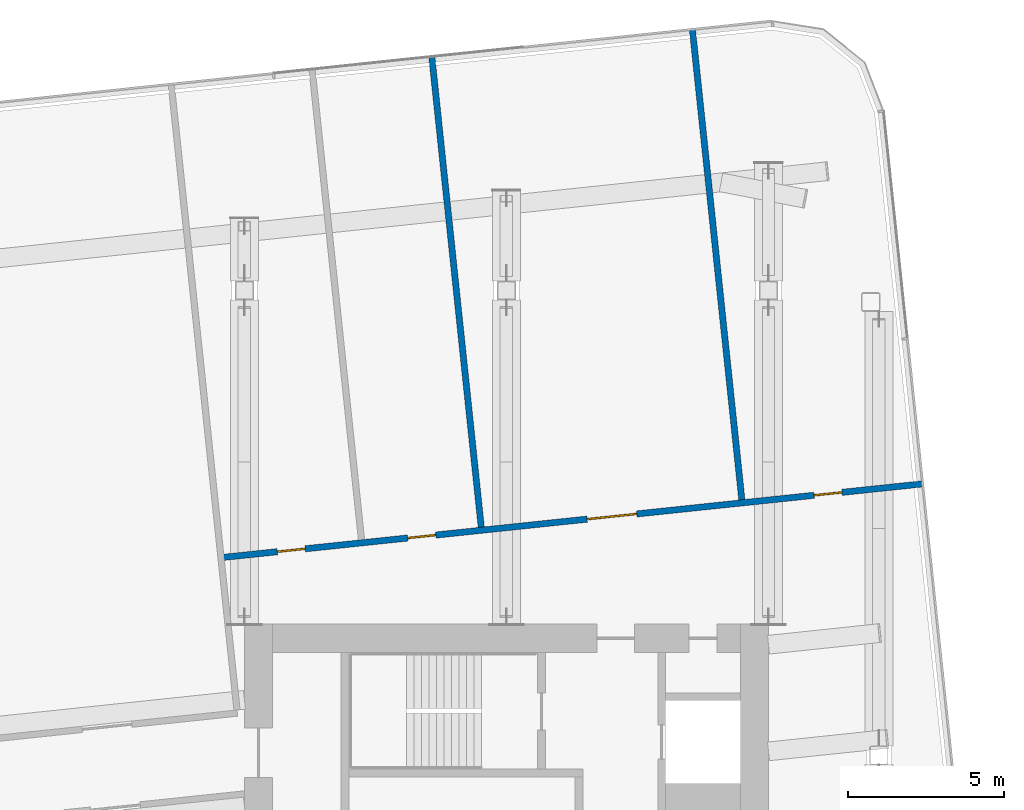
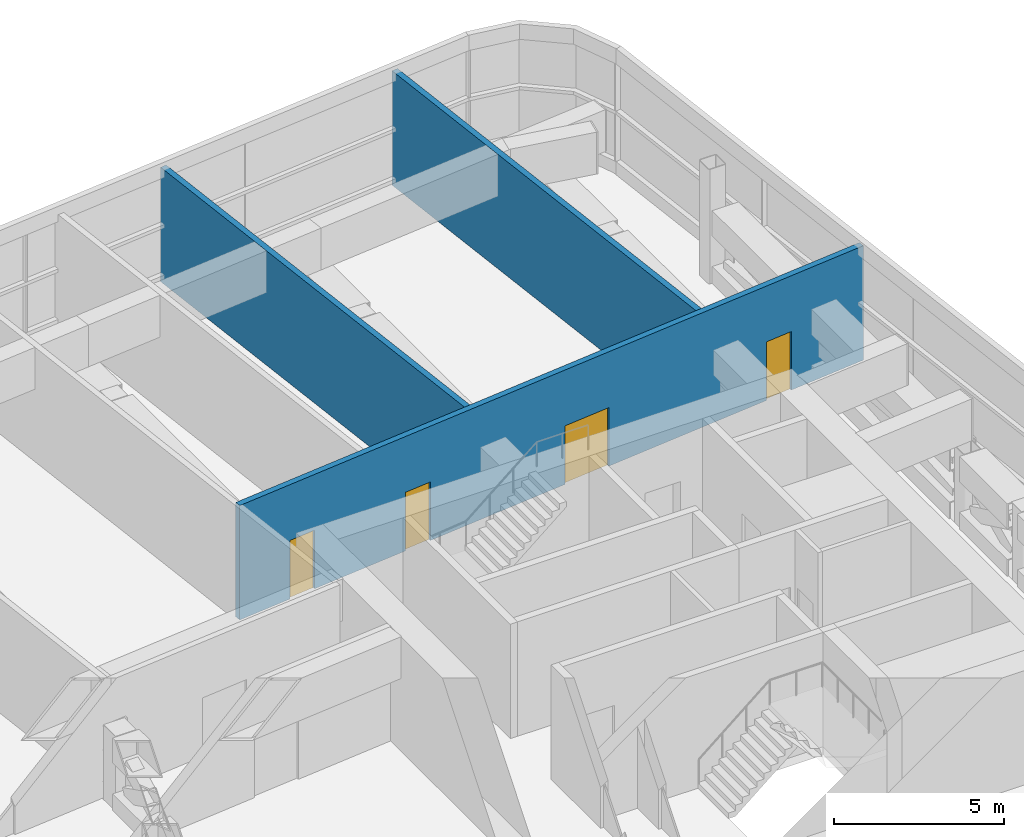
# One storey, part 19 of 33: 4 doors, 3 walls, 4 openings.
"""IFC4 building model written with IfcOpenShell, lengths in metres."""

from ifc_helpers import new_model, si_unit, direction, frame, frame_2d, origin, place, context, subcontext, project, spatial, rectangle, extrude, material, layer, layer_set, type_object, element, fill, save


model = new_model("IFC4")

# Units and contexts
model_context = context("Model", 3, precision=1e-05, world=origin(), true_north=direction((0.0, 1.0)))
body_context = subcontext(model_context, "Body", "Model", "MODEL_VIEW")
ifc_project = project(units=[si_unit("LENGTHUNIT", "METRE"), si_unit("AREAUNIT", "SQUARE_METRE"), si_unit("VOLUMEUNIT", "CUBIC_METRE"), si_unit("PLANEANGLEUNIT", "RADIAN"), si_unit("MASSUNIT", "GRAM", prefix="KILO")], contexts=[model_context])

# Site, building, storey
site_placement = place(None, origin())
site = spatial("IfcSite", under=ifc_project, at=site_placement, CompositionType="ELEMENT")
building_placement = place(site_placement, origin())
building = spatial("IfcBuilding", under=site, at=building_placement, Name="Hakoniwa Tower and Hamabe Station Hall", CompositionType="ELEMENT")
storey_placement = place(building_placement, frame((0.0, 0.0, 228.199951171875)))
storey = spatial("IfcBuildingStorey", under=building, at=storey_placement, Name="L65", CompositionType="ELEMENT", Elevation=228.199951171875)

# Wall, openings, doors
ifc_material_1 = material(Name="Fire-rated gypsum board partition", Category="gypsum")
ifc_layer_1 = layer(ifc_material_1, 0.199951171875)
ifc_layer_set_1 = layer_set([ifc_layer_1], Name="Corridor Wall 200")
wall_type_1 = type_object("IfcWallType", Name="Corridor Wall 200", PredefinedType="PARTITIONING", material=ifc_layer_set_1)
wall_placement = place(storey_placement, frame((16.04833984375, 10.533203125, 0.0), z_axis=(0.0, 0.0, 1.0), x_axis=(0.994521812173, 0.104529254816, 0.0)))
wall = element("IfcWall", 1, at=wall_placement, inside=storey, type_object=wall_type_1, Name="GW-L65-005", PredefinedType="PARTITIONING", context=body_context, shape_type="SweptSolid", body=[
    extrude(rectangle(XDim=22.634521484375, YDim=0.199951171875, at=frame_2d((11.3173828125, 0.0))), origin(), (0.0, 0.0, 1.0), 4.10009765625),
])
opening_1_placement = place(wall_placement, frame((1.820068359375, 0.0, 0.0)))
opening_1 = element("IfcOpeningElement", 2, at=opening_1_placement, cuts=wall, Name="Opening GD-SL65-17", PredefinedType="OPENING", context=body_context, shape_type="SweptSolid", body=[
    extrude(rectangle(XDim=0.89990234375, YDim=2.10009765625, at=frame_2d((0.449951171875, 1.050048828125))), frame((0.0, 0.10986328125, 0.0), z_axis=(0.0, -1.0, 0.0), x_axis=(1.0, 0.0, 0.0)), (0.0, 0.0, 1.0), 0.219970703125),
])
opening_2_placement = place(wall_placement, frame((6.02001953125, 0.0, 0.0)))
opening_2 = element("IfcOpeningElement", 3, at=opening_2_placement, cuts=wall, Name="Opening GD-SL65-18", PredefinedType="OPENING", context=body_context, shape_type="SweptSolid", body=[
    extrude(rectangle(XDim=0.89990234375, YDim=2.10009765625, at=frame_2d((0.449951171875, 1.050048828125))), frame((0.0, 0.10986328125, 0.0), z_axis=(0.0, -1.0, 0.0), x_axis=(1.0, 0.0, 0.0)), (0.0, 0.0, 1.0), 0.219970703125),
])
opening_3_placement = place(wall_placement, frame((11.800048828125, 0.0, 0.0)))
opening_3 = element("IfcOpeningElement", 4, at=opening_3_placement, cuts=wall, Name="Opening GD-SL65-19", PredefinedType="OPENING", context=body_context, shape_type="SweptSolid", body=[
    extrude(rectangle(XDim=1.60009765625, YDim=2.10009765625, at=frame_2d((0.800048828125, 1.050048828125))), frame((0.0, 0.10986328125, 0.0), z_axis=(0.0, -1.0, 0.0), x_axis=(1.0, 0.0, 0.0)), (0.0, 0.0, 1.0), 0.219970703125),
])
opening_4_placement = place(wall_placement, frame((19.1171875, 0.0, 0.0)))
opening_4 = element("IfcOpeningElement", 5, at=opening_4_placement, cuts=wall, Name="Opening GD-SL65-20", PredefinedType="OPENING", context=body_context, shape_type="SweptSolid", body=[
    extrude(rectangle(XDim=0.89990234375, YDim=2.10009765625, at=frame_2d((0.449951171875, 1.050048828125))), frame((0.0, 0.10986328125, 0.0), z_axis=(0.0, -1.0, 0.0), x_axis=(1.0, 0.0, 0.0)), (0.0, 0.0, 1.0), 0.219970703125),
])
ifc_material_2 = material(Name="Timber door leaf", Category="wood")
door_type_1 = type_object("IfcDoorType", Name="Double Door 1600", OperationType="DOUBLE_DOOR_SINGLE_SWING", PredefinedType="DOOR", material=ifc_material_2)
door_1_placement = place(opening_3_placement, origin())
door_1 = element("IfcDoor", 6, at=door_1_placement, inside=storey, type_object=door_type_1, Name="Door GD-SL65-19", OperationType="DOUBLE_DOOR_SINGLE_SWING", OverallHeight=2.10009765625, OverallWidth=1.60009765625, PredefinedType="DOOR", context=body_context, shape_type="SweptSolid", body=[
    extrude(rectangle(XDim=1.60009765625, YDim=2.10009765625, at=frame_2d((0.800048828125, 1.050048828125))), frame((0.0, 0.02490234375, 0.0), z_axis=(0.0, -1.0, 0.0), x_axis=(1.0, 0.0, 0.0)), (0.0, 0.0, 1.0), 0.050048828125),
])
fill(opening_3, door_1)
ifc_material_3 = material(Name="Timber door leaf", Category="wood")
door_type_2 = type_object("IfcDoorType", Name="Service Door 900", OperationType="SINGLE_SWING_LEFT", PredefinedType="DOOR", material=ifc_material_3)
door_2_placement = place(opening_1_placement, origin())
door_2 = element("IfcDoor", 7, at=door_2_placement, inside=storey, type_object=door_type_2, Name="Door GD-SL65-17", OperationType="SINGLE_SWING_LEFT", OverallHeight=2.10009765625, OverallWidth=0.89990234375, PredefinedType="DOOR", context=body_context, shape_type="SweptSolid", body=[
    extrude(rectangle(XDim=0.89990234375, YDim=2.10009765625, at=frame_2d((0.449951171875, 1.050048828125))), frame((0.0, 0.02490234375, 0.0), z_axis=(0.0, -1.0, 0.0), x_axis=(1.0, 0.0, 0.0)), (0.0, 0.0, 1.0), 0.050048828125),
])
fill(opening_1, door_2)
door_3_placement = place(opening_2_placement, origin())
door_3 = element("IfcDoor", 8, at=door_3_placement, inside=storey, type_object=door_type_2, Name="Door GD-SL65-18", OperationType="SINGLE_SWING_RIGHT", OverallHeight=2.10009765625, OverallWidth=0.89990234375, PredefinedType="DOOR", context=body_context, shape_type="SweptSolid", body=[
    extrude(rectangle(XDim=0.89990234375, YDim=2.10009765625, at=frame_2d((0.449951171875, 1.050048828125))), frame((0.0, 0.02490234375, 0.0), z_axis=(0.0, -1.0, 0.0), x_axis=(1.0, 0.0, 0.0)), (0.0, 0.0, 1.0), 0.050048828125),
])
fill(opening_2, door_3)
door_4_placement = place(opening_4_placement, origin())
door_4 = element("IfcDoor", 9, at=door_4_placement, inside=storey, type_object=door_type_2, Name="Door GD-SL65-20", OperationType="SINGLE_SWING_LEFT", OverallHeight=2.10009765625, OverallWidth=0.89990234375, PredefinedType="DOOR", context=body_context, shape_type="SweptSolid", body=[
    extrude(rectangle(XDim=0.89990234375, YDim=2.10009765625, at=frame_2d((0.449951171875, 1.050048828125))), frame((0.0, 0.02490234375, 0.0), z_axis=(0.0, -1.0, 0.0), x_axis=(1.0, 0.0, 0.0)), (0.0, 0.0, 1.0), 0.050048828125),
])
fill(opening_4, door_4)

# Walls
ifc_material_4 = material(Name="Fire-rated gypsum board partition", Category="gypsum")
ifc_layer_2 = layer(ifc_material_4, 0.199951171875)
ifc_layer_set_2 = layer_set([ifc_layer_2], Name="Party Wall 200")
wall_type_2 = type_object("IfcWallType", Name="Party Wall 200", PredefinedType="PARTITIONING", material=ifc_layer_set_2)
for number, where, z_axis, x_axis, name in (
    (10, (24.391845703125, 11.510498046875, 0.0), (0.0, 0.0, 1.0), (-0.104531564235, 0.994521569439, 0.0), "GW-L65-024"),
    (11, (32.745849609375, 12.388671875, 0.0), (0.0, 0.0, 1.0), (-0.104531564235, 0.994521569439, 0.0), "GW-L65-027"),
):
    element("IfcWall", number, at=place(storey_placement, frame(where, z_axis=z_axis, x_axis=x_axis)), inside=storey, type_object=wall_type_2, Name=name, PredefinedType="PARTITIONING", context=body_context, shape_type="SweptSolid", body=[
        extrude(rectangle(XDim=15.178955078125, YDim=0.199951171875, at=frame_2d((7.58935546875, 0.0))), origin(), (0.0, 0.0, 1.0), 4.10009765625),
    ])

save(model, "model.ifc")
